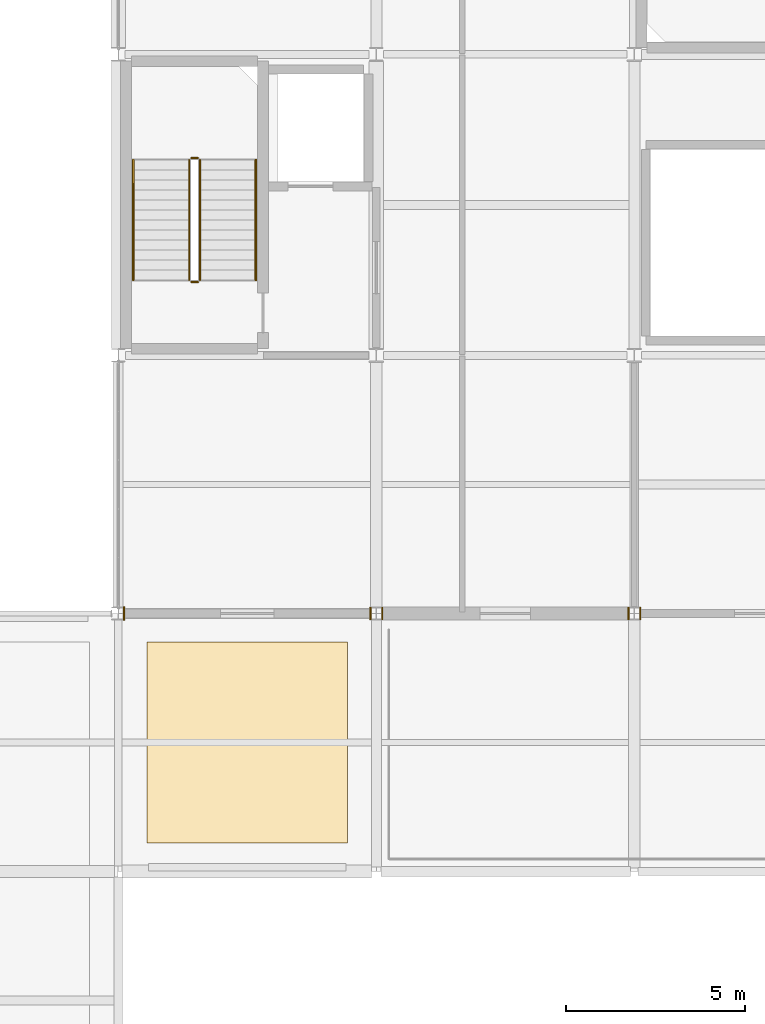
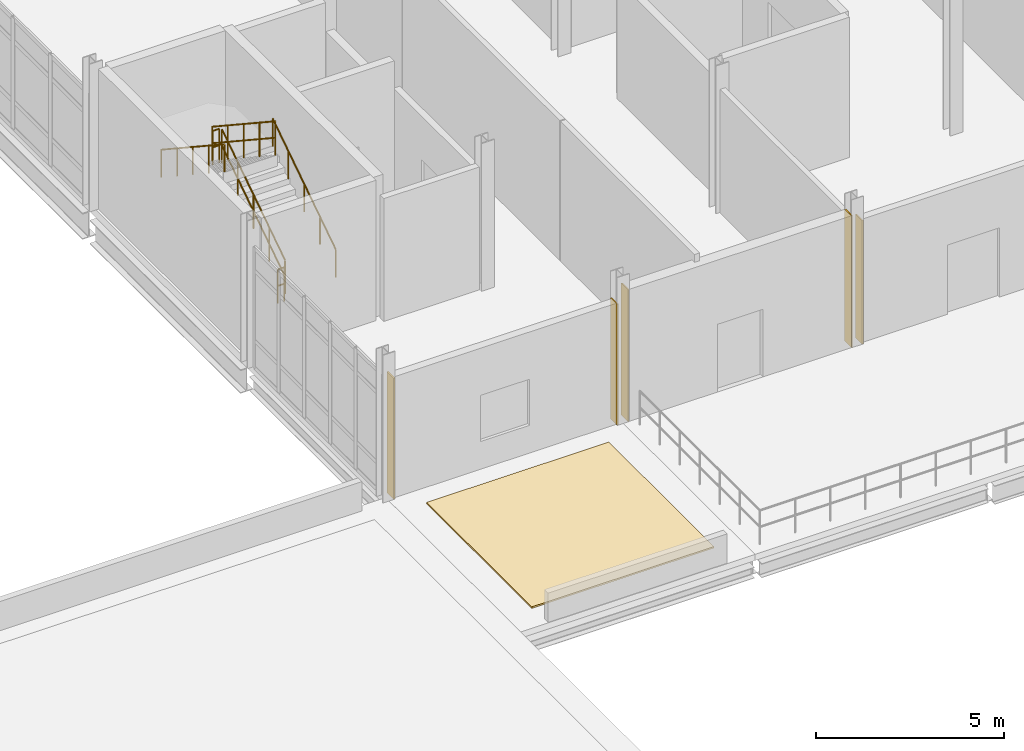
# One storey, part 143 of 153: 6 coverings, 6 railings.
"""IFC4 building model written with IfcOpenShell, lengths in metres."""

from ifc_helpers import new_model, si_unit, direction, frame, origin, origin_2d, place, context, subcontext, project, spatial, polyline, circle, outline, extrude, material, layer, layer_set, type_object, element, save


model = new_model("IFC4")

# Units and contexts
model_context = context("Model", 3, precision=1e-05, world=origin(), true_north=direction((0.0, 1.0)))
body_context = subcontext(model_context, "Body", "Model", "MODEL_VIEW")
ifc_project = project(units=[si_unit("LENGTHUNIT", "METRE"), si_unit("AREAUNIT", "SQUARE_METRE"), si_unit("VOLUMEUNIT", "CUBIC_METRE"), si_unit("PLANEANGLEUNIT", "RADIAN"), si_unit("MASSUNIT", "GRAM", prefix="KILO")], contexts=[model_context])

# Site, building, storey
site_placement = place(None, origin())
site = spatial("IfcSite", under=ifc_project, at=site_placement, CompositionType="ELEMENT")
building_placement = place(site_placement, origin())
building = spatial("IfcBuilding", under=site, at=building_placement, Name="Calvrana Isthmian Art Gallery", CompositionType="ELEMENT")
storey_placement = place(building_placement, frame((0.0, 0.0, 10.199951171875)))
storey = spatial("IfcBuildingStorey", under=building, at=storey_placement, Name="L02", CompositionType="ELEMENT", Elevation=10.199951171875)

# Coverings
ifc_material_1 = material(Name="Polychrome glazed terracotta", Category="masonry")
ifc_layer_1 = layer(ifc_material_1, 0.0400390625, Name="Polychrome glazed terracotta")
ifc_layer_set_1 = layer_set([ifc_layer_1], Name="Polychrome glazed terracotta")
covering_type_1 = type_object("IfcCoveringType", Name="COV-CLAD-TERRA", PredefinedType="CLADDING", material=ifc_layer_set_1)
covering_1_placement = place(storey_placement, origin())
element("IfcCovering", 1, at=covering_1_placement, inside=storey, type_object=covering_type_1, Name="Column pocket weather closure L02-14-02-W", PredefinedType="CLADDING", context=body_context, shape_type="SweptSolid", body=[
    extrude(outline(polyline([(112.946533203125, 14.218505859375), (112.986572265625, 14.218505859375), (112.986572265625, 14.58154296875), (112.946533203125, 14.58154296875), (112.946533203125, 14.218505859375)])), origin(), (0.0, 0.0, 1.0), 3.93310546875),
])
covering_2_placement = place(storey_placement, origin())
element("IfcCovering", 2, at=covering_2_placement, inside=storey, type_object=covering_type_1, Name="Column pocket weather closure L02-14-02-E", PredefinedType="CLADDING", context=body_context, shape_type="SweptSolid", body=[
    extrude(outline(polyline([(119.8134765625, 14.220947265625), (119.853515625, 14.220947265625), (119.853515625, 14.5791015625), (119.8134765625, 14.5791015625), (119.8134765625, 14.220947265625)])), origin(), (0.0, 0.0, 1.0), 3.93310546875),
])
covering_3_placement = place(storey_placement, origin())
element("IfcCovering", 3, at=covering_3_placement, inside=storey, type_object=covering_type_1, Name="Column pocket weather closure L02-15-02-W", PredefinedType="CLADDING", context=body_context, shape_type="SweptSolid", body=[
    extrude(outline(polyline([(120.146484375, 14.220947265625), (120.1865234375, 14.220947265625), (120.1865234375, 14.5791015625), (120.146484375, 14.5791015625), (120.146484375, 14.220947265625)])), origin(), (0.0, 0.0, 1.0), 4.2861328125),
])
covering_4_placement = place(storey_placement, origin())
element("IfcCovering", 4, at=covering_4_placement, inside=storey, type_object=covering_type_1, Name="Column pocket weather closure L02-15-02-E", PredefinedType="CLADDING", context=body_context, shape_type="SweptSolid", body=[
    extrude(outline(polyline([(127.014404296875, 14.223388671875), (127.054443359375, 14.223388671875), (127.054443359375, 14.576416015625), (127.014404296875, 14.576416015625), (127.014404296875, 14.223388671875)])), origin(), (0.0, 0.0, 1.0), 4.2861328125),
])
covering_5_placement = place(storey_placement, origin())
element("IfcCovering", 5, at=covering_5_placement, inside=storey, type_object=covering_type_1, Name="Column pocket weather closure L02-16-02-W", PredefinedType="CLADDING", context=body_context, shape_type="SweptSolid", body=[
    extrude(outline(polyline([(127.345458984375, 14.223388671875), (127.385498046875, 14.223388671875), (127.385498046875, 14.576416015625), (127.345458984375, 14.576416015625), (127.345458984375, 14.223388671875)])), origin(), (0.0, 0.0, 1.0), 4.007080078125),
])
ifc_material_2 = material(Name="Standing-seam zinc-aluminium roofing", Category="aluminium")
ifc_layer_2 = layer(ifc_material_2, 0.050048828125, Name="Standing-seam zinc-aluminium roofing")
ifc_layer_set_2 = layer_set([ifc_layer_2], Name="Standing-seam zinc-aluminium roofing")
covering_type_2 = type_object("IfcCoveringType", Name="COV-ROOF-ZINC", PredefinedType="ROOFING", material=ifc_layer_set_2)
covering_6_placement = place(storey_placement, origin())
element("IfcCovering", 6, at=covering_6_placement, inside=storey, type_object=covering_type_2, Name="Insulated roof membrane ROOF_V4SW_L02", PredefinedType="ROOFING", context=body_context, shape_type="SweptSolid", body=[
    extrude(outline(polyline([(113.60009765625, 8.0), (119.199951171875, 8.0), (119.199951171875, 13.60009765625), (113.60009765625, 13.60009765625), (113.60009765625, 8.0)])), origin(), (0.0, 0.0, 1.0), 0.050048828125),
])

# Railings
ifc_material_3 = material(Name="Stainless steel 316", Category="steel")
railing_type_1 = type_object("IfcRailingType", Name="RL-GUARD-1120", PredefinedType="BALUSTRADE", material=ifc_material_3)
railing_1_placement = place(storey_placement, frame((115.080078125, 23.699951171875, 0.1845703125)))
element("IfcRailing", 7, at=railing_1_placement, inside=storey, type_object=railing_type_1, Name="Stair ST-3 guard L02-1", PredefinedType="BALUSTRADE", context=body_context, shape_type="SweptSolid", body=[
    extrude(circle(Radius=0.02392578125, at=origin_2d()), frame((0.0, 0.0, 1.09619140625), z_axis=(0.0, 0.834848600103, 0.550479622607), x_axis=(-1.0, 0.0, 0.0)), (0.0, 0.0, 1.0), 4.02490234375),
    extrude(circle(Radius=0.02392578125, at=origin_2d()), frame((0.0, 0.0, 0.56005859375), z_axis=(0.0, 0.834848600103, 0.550479622607), x_axis=(-1.0, 0.0, 0.0)), (0.0, 0.0, 1.0), 4.02490234375),
    extrude(circle(Radius=0.02099609375, at=origin_2d()), origin(), (0.0, 0.0, 1.0), 1.072021484375),
    extrude(circle(Radius=0.02099609375, at=origin_2d()), frame((0.0, 0.840087890625, 0.553955078125)), (0.0, 0.0, 1.0), 1.072021484375),
    extrude(circle(Radius=0.02099609375, at=origin_2d()), frame((0.0, 1.68017578125, 1.10791015625)), (0.0, 0.0, 1.0), 1.072021484375),
    extrude(circle(Radius=0.02099609375, at=origin_2d()), frame((0.0, 2.52001953125, 1.66162109375)), (0.0, 0.0, 1.0), 1.072021484375),
    extrude(circle(Radius=0.02099609375, at=origin_2d()), frame((0.0, 3.360107421875, 2.215576171875)), (0.0, 0.0, 1.0), 1.072021484375),
])
railing_2_placement = place(storey_placement, frame((115.030029296875, 27.110107421875, 2.400146484375)))
element("IfcRailing", 8, at=railing_2_placement, inside=storey, type_object=railing_type_1, Name="Stair ST-3 guard L02-2", PredefinedType="BALUSTRADE", context=body_context, shape_type="SweptSolid", body=[
    extrude(circle(Radius=0.02392578125, at=origin_2d()), frame((0.0, 0.0, 1.09619140625), z_axis=(-1.0, 0.0, 0.0), x_axis=(0.0, -1.0, 0.0)), (0.0, 0.0, 1.0), 0.199951171875),
    extrude(circle(Radius=0.02392578125, at=origin_2d()), frame((0.0, 0.0, 0.56005859375), z_axis=(-1.0, 0.0, 0.0), x_axis=(0.0, -1.0, 0.0)), (0.0, 0.0, 1.0), 0.199951171875),
    extrude(circle(Radius=0.02099609375, at=origin_2d()), origin(), (0.0, 0.0, 1.0), 1.072021484375),
    extrude(circle(Radius=0.02099609375, at=origin_2d()), frame((-0.199951171875, 0.0, 0.0)), (0.0, 0.0, 1.0), 1.072021484375),
])
railing_3_placement = place(storey_placement, frame((114.780029296875, 27.06005859375, 2.584716796875)))
element("IfcRailing", 9, at=railing_3_placement, inside=storey, type_object=railing_type_1, Name="Stair ST-3 guard L02-3", PredefinedType="BALUSTRADE", context=body_context, shape_type="SweptSolid", body=[
    extrude(circle(Radius=0.02392578125, at=origin_2d()), frame((0.0, 0.0, 1.09619140625), z_axis=(0.0, -0.834876476806, 0.550437342915), x_axis=(1.0, 0.0, 0.0)), (0.0, 0.0, 1.0), 4.024658203125),
    extrude(circle(Radius=0.02392578125, at=origin_2d()), frame((0.0, 0.0, 0.56005859375), z_axis=(0.0, -0.834876476806, 0.550437342915), x_axis=(1.0, 0.0, 0.0)), (0.0, 0.0, 1.0), 4.024658203125),
    extrude(circle(Radius=0.02099609375, at=origin_2d()), origin(), (0.0, 0.0, 1.0), 1.072021484375),
    extrude(circle(Radius=0.02099609375, at=origin_2d()), frame((0.0, -0.840087890625, 0.5537109375)), (0.0, 0.0, 1.0), 1.072021484375),
    extrude(circle(Radius=0.02099609375, at=origin_2d()), frame((0.0, -1.68017578125, 1.107666015625)), (0.0, 0.0, 1.0), 1.072021484375),
    extrude(circle(Radius=0.02099609375, at=origin_2d()), frame((0.0, -2.52001953125, 1.66162109375)), (0.0, 0.0, 1.0), 1.072021484375),
    extrude(circle(Radius=0.02099609375, at=origin_2d()), frame((0.0, -3.360107421875, 2.21533203125)), (0.0, 0.0, 1.0), 1.072021484375),
])
railing_4_placement = place(storey_placement, frame((115.030029296875, 23.64990234375, 0.0)))
element("IfcRailing", 10, at=railing_4_placement, inside=storey, type_object=railing_type_1, Name="Stair ST-3 guard L02-4", PredefinedType="BALUSTRADE", context=body_context, shape_type="SweptSolid", body=[
    extrude(circle(Radius=0.02392578125, at=origin_2d()), frame((0.0, 0.0, 1.09619140625), z_axis=(-1.0, 0.0, 0.0), x_axis=(0.0, -1.0, 0.0)), (0.0, 0.0, 1.0), 0.199951171875),
    extrude(circle(Radius=0.02392578125, at=origin_2d()), frame((0.0, 0.0, 0.56005859375), z_axis=(-1.0, 0.0, 0.0), x_axis=(0.0, -1.0, 0.0)), (0.0, 0.0, 1.0), 0.199951171875),
    extrude(circle(Radius=0.02099609375, at=origin_2d()), origin(), (0.0, 0.0, 1.0), 1.072021484375),
    extrude(circle(Radius=0.02099609375, at=origin_2d()), frame((-0.199951171875, 0.0, 0.0)), (0.0, 0.0, 1.0), 1.072021484375),
])
railing_type_2 = type_object("IfcRailingType", Name="RL-HAND-920", PredefinedType="HANDRAIL", material=ifc_material_3)
railing_5_placement = place(storey_placement, frame((116.639892578125, 23.699951171875, 0.1845703125)))
element("IfcRailing", 11, at=railing_5_placement, inside=storey, type_object=railing_type_2, Name="Stair ST-3 handrail L02-1", PredefinedType="HANDRAIL", context=body_context, shape_type="SweptSolid", body=[
    extrude(circle(Radius=0.02392578125, at=origin_2d()), frame((0.0, 0.0, 0.89599609375), z_axis=(0.0, 0.834848600103, 0.550479622607), x_axis=(-1.0, 0.0, 0.0)), (0.0, 0.0, 1.0), 4.02490234375),
    extrude(circle(Radius=0.02099609375, at=origin_2d()), origin(), (0.0, 0.0, 1.0), 0.871826171875),
    extrude(circle(Radius=0.02099609375, at=origin_2d()), frame((0.0, 0.840087890625, 0.553955078125)), (0.0, 0.0, 1.0), 0.871826171875),
    extrude(circle(Radius=0.02099609375, at=origin_2d()), frame((0.0, 1.68017578125, 1.10791015625)), (0.0, 0.0, 1.0), 0.871826171875),
    extrude(circle(Radius=0.02099609375, at=origin_2d()), frame((0.0, 2.52001953125, 1.66162109375)), (0.0, 0.0, 1.0), 0.871826171875),
    extrude(circle(Radius=0.02099609375, at=origin_2d()), frame((0.0, 3.360107421875, 2.215576171875)), (0.0, 0.0, 1.0), 0.871826171875),
])
railing_6_placement = place(storey_placement, frame((113.219970703125, 27.06005859375, 2.584716796875)))
element("IfcRailing", 12, at=railing_6_placement, inside=storey, type_object=railing_type_2, Name="Stair ST-3 handrail L02-2", PredefinedType="HANDRAIL", context=body_context, shape_type="SweptSolid", body=[
    extrude(circle(Radius=0.02392578125, at=origin_2d()), frame((0.0, 0.0, 0.89599609375), z_axis=(0.0, -0.834876476806, 0.550437342915), x_axis=(1.0, 0.0, 0.0)), (0.0, 0.0, 1.0), 4.024658203125),
    extrude(circle(Radius=0.02099609375, at=origin_2d()), origin(), (0.0, 0.0, 1.0), 0.871826171875),
    extrude(circle(Radius=0.02099609375, at=origin_2d()), frame((0.0, -0.840087890625, 0.5537109375)), (0.0, 0.0, 1.0), 0.871826171875),
    extrude(circle(Radius=0.02099609375, at=origin_2d()), frame((0.0, -1.68017578125, 1.107666015625)), (0.0, 0.0, 1.0), 0.871826171875),
    extrude(circle(Radius=0.02099609375, at=origin_2d()), frame((0.0, -2.52001953125, 1.66162109375)), (0.0, 0.0, 1.0), 0.871826171875),
    extrude(circle(Radius=0.02099609375, at=origin_2d()), frame((0.0, -3.360107421875, 2.21533203125)), (0.0, 0.0, 1.0), 0.871826171875),
])

save(model, "model.ifc")
